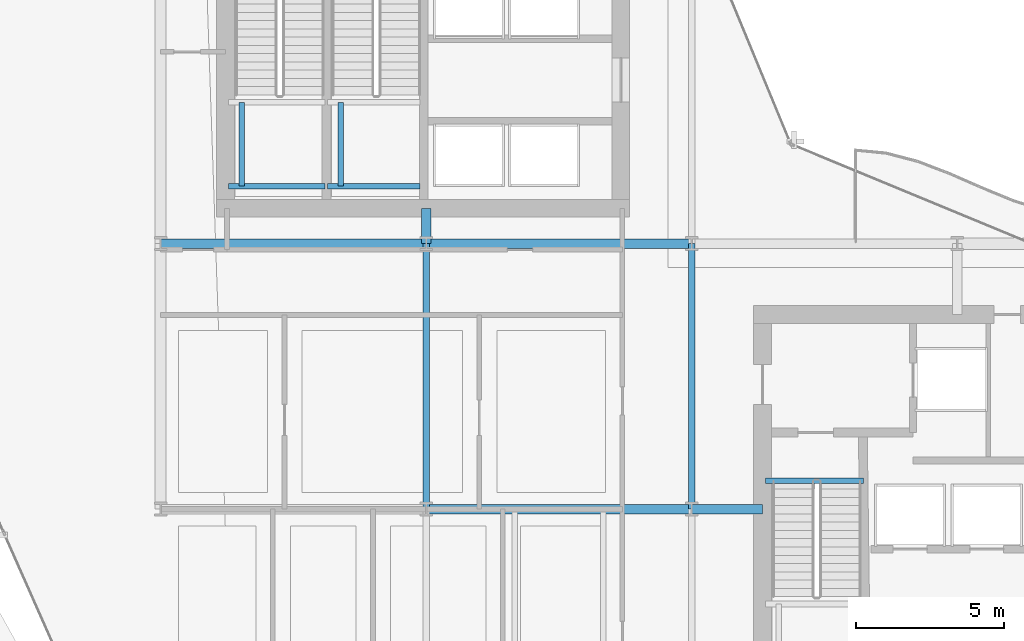
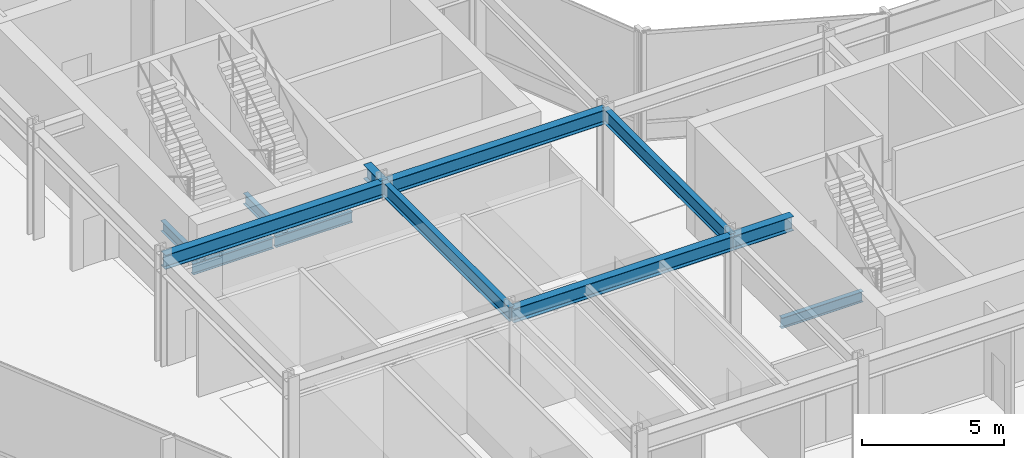
# One storey, part 8 of 39: 12 beams.
"""IFC4 building model written with IfcOpenShell, lengths in metres."""

import ifcopenshell
import ifcopenshell.guid

model = None  # the IFC model being written
_history = None  # IfcOwnerHistory: only IFC2X3 demands one
_inside = {}  # id of a spatial element -> (the spatial element, [elements in it])
_under = {}  # id of a project, library or spatial element -> (it, [spatial elements below it])
_declared = {}  # id of a project -> (the project, [libraries it declares])
_typed = {}  # id of a type object -> (the type object, [elements of that type])
_made_of = {}  # id of a material, layer set ... -> (it, [elements and type objects made of it])


def new_model(schema):
    """Start an empty IFC model of exactly this schema.

    Asked for "IFC4X3", IfcOpenShell would pick the latest addendum, in which some entities
    have other attributes; the version numbers below select the first issue.
    IFC2X3 requires an IfcOwnerHistory on every rooted entity: one is made here for all.
    """
    global model, _history
    if schema == "IFC4X3":
        model = ifcopenshell.file(schema_version=(4, 3, 0, 0))
    else:
        model = ifcopenshell.file(schema=schema)
    _inside.clear()
    _under.clear()
    _declared.clear()
    _typed.clear()
    _made_of.clear()
    _history = None
    if model.schema == "IFC2X3":
        org = make("IfcOrganization", Name="unknown")
        user = make(
            "IfcPersonAndOrganization",
            ThePerson=make("IfcPerson", FamilyName="unknown"),
            TheOrganization=org,
        )
        app = make(
            "IfcApplication",
            ApplicationDeveloper=org,
            Version="unknown",
            ApplicationFullName="unknown",
            ApplicationIdentifier="unknown",
        )
        _history = make(
            "IfcOwnerHistory",
            OwningUser=user,
            OwningApplication=app,
            ChangeAction="ADDED",
            CreationDate=0,
        )
    return model


def make(cls, **values):
    """One entity of the class cls with the attributes given. An attribute that is None is left unset."""
    return model.create_entity(
        cls, **{name: value for name, value in values.items() if value is not None}
    )


def rooted(cls, **values):
    """An entity with a GlobalId (a new one), such as an element, a storey or a relation."""
    return make(cls, GlobalId=ifcopenshell.guid.new(), OwnerHistory=_history, **values)


def si_unit(unit_type, name, prefix=None):
    """IfcSIUnit, for example si_unit("LENGTHUNIT", "METRE", prefix="MILLI")."""
    return make("IfcSIUnit", UnitType=unit_type, Prefix=prefix, Name=name)


def assignment(units):
    """IfcUnitAssignment: the units of a project."""
    return None if units is None else make("IfcUnitAssignment", Units=units)


def point(xyz):
    """IfcCartesianPoint."""
    return None if xyz is None else make("IfcCartesianPoint", Coordinates=xyz)


def direction(xyz):
    """IfcDirection."""
    return None if xyz is None else make("IfcDirection", DirectionRatios=xyz)


def frame(location, z_axis=None, x_axis=None):
    """IfcAxis2Placement3D, a coordinate frame: its origin and axes. An axis left out is left unset."""
    return make(
        "IfcAxis2Placement3D",
        Location=point(location),
        Axis=direction(z_axis),
        RefDirection=direction(x_axis),
    )


def frame_2d(location, x_axis=None):
    """IfcAxis2Placement2D, a coordinate frame in the plane: its origin and x axis."""
    return make(
        "IfcAxis2Placement2D", Location=point(location), RefDirection=direction(x_axis)
    )


def origin():
    """The frame at (0, 0, 0) with its axes left unset."""
    return frame((0.0, 0.0, 0.0))


def origin_2d():
    """The frame at (0, 0) in the plane with its x axis left unset."""
    return frame_2d((0.0, 0.0))


def place(relative_to, where):
    """IfcLocalPlacement: puts the frame where relative to a parent placement (None: the world)."""
    return make(
        "IfcLocalPlacement", PlacementRelTo=relative_to, RelativePlacement=where
    )


def context(
    kind, dimensions, precision=None, world=None, true_north=None, identifier=None
):
    """IfcGeometricRepresentationContext, for example the 3D "Model" context."""
    return make(
        "IfcGeometricRepresentationContext",
        ContextIdentifier=identifier,
        ContextType=kind,
        CoordinateSpaceDimension=dimensions,
        Precision=precision,
        WorldCoordinateSystem=world,
        TrueNorth=true_north,
    )


def subcontext(parent, identifier, kind, view, scale=None):
    """IfcGeometricRepresentationSubContext, for example "Body" below "Model"."""
    return make(
        "IfcGeometricRepresentationSubContext",
        ContextIdentifier=identifier,
        ContextType=kind,
        ParentContext=parent,
        TargetScale=scale,
        TargetView=view,
    )


def project(units=None, contexts=None):
    """IfcProject with its units and contexts."""
    return rooted(
        "IfcProject",
        Name="project",
        RepresentationContexts=contexts,
        UnitsInContext=assignment(units),
    )


def spatial(cls, under=None, at=None, **own):
    """A site, building, storey or space (cls), placed at a placement, below another one or the project."""
    s = rooted(cls, ObjectPlacement=at, **own)
    if under is not None:
        _under.setdefault(under.id(), (under, []))[1].append(s)
    return s


def profile(cls, at=None, kind="AREA", **sizes):
    """A parametric profile (cls). Its sizes go by their IFC names, for example OverallWidth=200.0."""
    return make(cls, ProfileType=kind, Position=at, **sizes)


def i_section(**sizes):
    """IfcIShapeProfileDef."""
    return profile("IfcIShapeProfileDef", **sizes)


def extrude(swept, where, along, depth):
    """IfcExtrudedAreaSolid: the profile swept, set in the frame where, extruded along a direction by depth."""
    return make(
        "IfcExtrudedAreaSolid",
        SweptArea=swept,
        Position=where,
        ExtrudedDirection=direction(along),
        Depth=depth,
    )


def shape(context_of_items, identifier, shape_type, items):
    """IfcShapeRepresentation: the items that make up one representation, for example the "Body"."""
    return make(
        "IfcShapeRepresentation",
        ContextOfItems=context_of_items,
        RepresentationIdentifier=identifier,
        RepresentationType=shape_type,
        Items=items,
    )


def material(Name=None, Category=None):
    """IfcMaterial."""
    return make("IfcMaterial", Name=Name, Category=Category)


def material_profile(
    of_material, cross_section, Name=None, Category=None, Priority=None
):
    """IfcMaterialProfile: a cross section and its material."""
    return make(
        "IfcMaterialProfile",
        Name=Name,
        Material=of_material,
        Profile=cross_section,
        Priority=Priority,
        Category=Category,
    )


def profile_set(profiles, Name=None, composite=None):
    """IfcMaterialProfileSet."""
    return make(
        "IfcMaterialProfileSet",
        Name=Name,
        MaterialProfiles=profiles,
        CompositeProfile=composite,
    )


def made_of(thing, what):
    """Note that an element or type object is made of a material, layer set ...; save() writes the relation."""
    if what is not None:
        _made_of.setdefault(what.id(), (what, []))[1].append(thing)
    return thing


def type_object(cls, material=None, **own):
    """A type object (cls), such as IfcWallType, which elements share."""
    return made_of(rooted(cls, **own), material)


def element(
    cls,
    number,
    at=None,
    inside=None,
    cuts=None,
    type_object=None,
    material=None,
    context=None,
    identifier="Body",
    shape_type=None,
    held_by="IfcProductDefinitionShape",
    body=None,
    shapes=None,
    **own,
):
    """One element of the class cls, such as IfcWall. Its Tag is "e" and its number.

    at: its placement. inside: the storey or other place that contains it. cuts: it is an
    opening in that element (IfcRelVoidsElement). A single representation is given by context,
    identifier, shape_type and body (its items); several are given by shapes. held_by: the class
    of the entity that holds the representations. save() writes the other relations.
    """
    e = rooted(cls, Tag="e%d" % number, ObjectPlacement=at, **own)
    if body is not None:
        shapes = [shape(context, identifier, shape_type, body)]
    if shapes is not None:
        e.Representation = make(held_by, Representations=shapes)
    if inside is not None:
        _inside.setdefault(inside.id(), (inside, []))[1].append(e)
    if cuts is not None:
        rooted(
            "IfcRelVoidsElement", RelatingBuildingElement=cuts, RelatedOpeningElement=e
        )
    if type_object is not None:
        _typed.setdefault(type_object.id(), (type_object, []))[1].append(e)
    return made_of(e, material)


def aggregate(whole, parts):
    """IfcRelAggregates: a whole, such as a stair, and the parts it consists of."""
    return rooted("IfcRelAggregates", RelatingObject=whole, RelatedObjects=parts)


def save(model, path):
    """Write the relations noted so far, then the file.

    IfcRelAggregates (storeys below a building ...), IfcRelContainedInSpatialStructure (elements
    in a storey), IfcRelDefinesByType, IfcRelAssociatesMaterial and IfcRelDeclares: one each for
    every whole, place, type object, material and project.
    """
    for whole, parts in _under.values():
        aggregate(whole, parts)
    for where, things in _inside.values():
        rooted(
            "IfcRelContainedInSpatialStructure",
            RelatedElements=things,
            RelatingStructure=where,
        )
    for kind, things in _typed.values():
        rooted("IfcRelDefinesByType", RelatedObjects=things, RelatingType=kind)
    for what, things in _made_of.values():
        rooted("IfcRelAssociatesMaterial", RelatedObjects=things, RelatingMaterial=what)
    for by, libraries in _declared.values():
        rooted("IfcRelDeclares", RelatingContext=by, RelatedDefinitions=libraries)
    model.write(path)


model = new_model("IFC4")

# Units and contexts
model_context = context("Model", 3, precision=1e-05, world=origin(), true_north=direction((0.0, 1.0)))
body_context = subcontext(model_context, "Body", "Model", "MODEL_VIEW")
ifc_project = project(units=[si_unit("LENGTHUNIT", "METRE"), si_unit("AREAUNIT", "SQUARE_METRE"), si_unit("VOLUMEUNIT", "CUBIC_METRE"), si_unit("PLANEANGLEUNIT", "RADIAN"), si_unit("MASSUNIT", "GRAM", prefix="KILO")], contexts=[model_context])

# Site, building, storey
site_placement = place(None, origin())
site = spatial("IfcSite", under=ifc_project, at=site_placement, CompositionType="ELEMENT")
building_placement = place(site_placement, origin())
building = spatial("IfcBuilding", under=site, at=building_placement, Name="Solvaryn Broadcast Tower", CompositionType="ELEMENT")
storey_placement = place(building_placement, frame((0.0, 0.0, 84.10009765625)))
storey = spatial("IfcBuildingStorey", under=building, at=storey_placement, Name="L20", CompositionType="ELEMENT", Elevation=84.10009765625)

# Beams
ifc_material_1 = material(Name="Steel ASTM A992 Grade 50", Category="steel")
ifc_material_profile_1 = material_profile(ifc_material_1, i_section(OverallWidth=0.323974609375, OverallDepth=0.611083984375, WebThickness=0.0126953125, FlangeThickness=0.01904296875, FilletRadius=0.014892578125, at=origin_2d()))
ifc_profile_set_1 = profile_set([ifc_material_profile_1], Name="Steel ASTM A992 Grade 50")
beam_type_1 = type_object("IfcBeamType", Name="BM-B1-W24X104", PredefinedType="BEAM", material=ifc_profile_set_1)
for number, where, z_axis, x_axis, name in (
    (1, (18.0, 18.0, 4.414306640625), (1.0, 0.0, 0.0), (0.0, 1.0, 0.0), "L20 Primary Beam X (18-27 @ Y=18)"),
    (2, (9.0, 27.0, 4.414306640625), (1.0, 0.0, 0.0), (0.0, 1.0, 0.0), "L20 Primary Beam X (9-18 @ Y=27)"),
    (3, (18.0, 27.0, 4.414306640625), (1.0, 0.0, 0.0), (0.0, 1.0, 0.0), "L20 Primary Beam X (18-27 @ Y=27)"),
):
    element("IfcBeam", number, at=place(storey_placement, frame(where, z_axis=z_axis, x_axis=x_axis)), inside=storey, type_object=beam_type_1, Name=name, PredefinedType="BEAM", context=body_context, shape_type="SweptSolid", body=[
        extrude(i_section(OverallWidth=0.323974609375, OverallDepth=0.611083984375, WebThickness=0.0126953125, FlangeThickness=0.01904296875, FilletRadius=0.014892578125, at=origin_2d()), origin(), (0.0, 0.0, 1.0), 9.0),
    ])
beam_1_placement = place(storey_placement, frame((18.0, 27.0, 4.414306640625), z_axis=(0.0, 1.0, 0.0), x_axis=(-1.0, 0.0, 0.0)))
element("IfcBeam", 4, at=beam_1_placement, inside=storey, type_object=beam_type_1, Name="L20 Core Tie Beam CTW4", PredefinedType="BEAM", context=body_context, shape_type="SweptSolid", body=[
    extrude(i_section(OverallWidth=0.323974609375, OverallDepth=0.611083984375, WebThickness=0.0126953125, FlangeThickness=0.01904296875, FilletRadius=0.014892578125, at=origin_2d()), origin(), (0.0, 0.0, 1.0), 1.199951171875),
])
beam_2_placement = place(storey_placement, frame((27.0, 18.0, 4.414306640625), z_axis=(1.0, 0.0, 0.0), x_axis=(0.0, 1.0, 0.0)))
element("IfcBeam", 5, at=beam_2_placement, inside=storey, type_object=beam_type_1, Name="L20 Core Tie Beam CTE4", PredefinedType="BEAM", context=body_context, shape_type="SweptSolid", body=[
    extrude(i_section(OverallWidth=0.323974609375, OverallDepth=0.611083984375, WebThickness=0.0126953125, FlangeThickness=0.01904296875, FilletRadius=0.014892578125, at=origin_2d()), origin(), (0.0, 0.0, 1.0), 2.39990234375),
])
ifc_material_2 = material(Name="Steel ASTM A992 Grade 50", Category="steel")
ifc_material_profile_2 = material_profile(ifc_material_2, i_section(OverallWidth=0.22802734375, OverallDepth=0.60791015625, WebThickness=0.01123046875, FlangeThickness=0.017333984375, FilletRadius=0.014892578125, at=origin_2d()))
ifc_profile_set_2 = profile_set([ifc_material_profile_2], Name="Steel ASTM A992 Grade 50")
beam_type_2 = type_object("IfcBeamType", Name="BM-B2-W24X76", PredefinedType="BEAM", material=ifc_profile_set_2)
for number, where, z_axis, x_axis, name in (
    (6, (18.0, 18.0, 4.416015625), (0.0, 1.0, 0.0), (-1.0, 0.0, 0.0), "L20 Primary Beam Y (18-27 @ X=18)"),
    (7, (27.0, 18.0, 4.416015625), (0.0, 1.0, 0.0), (-1.0, 0.0, 0.0), "L20 Primary Beam Y (18-27 @ X=27)"),
):
    element("IfcBeam", number, at=place(storey_placement, frame(where, z_axis=z_axis, x_axis=x_axis)), inside=storey, type_object=beam_type_2, Name=name, PredefinedType="BEAM", context=body_context, shape_type="SweptSolid", body=[
        extrude(i_section(OverallWidth=0.22802734375, OverallDepth=0.60791015625, WebThickness=0.01123046875, FlangeThickness=0.017333984375, FilletRadius=0.014892578125, at=origin_2d()), origin(), (0.0, 0.0, 1.0), 9.0),
    ])
ifc_material_3 = material(Name="Steel ASTM A992 Grade 50", Category="steel")
ifc_material_profile_3 = material_profile(ifc_material_3, i_section(OverallWidth=0.18994140625, OverallDepth=0.45703125, WebThickness=0.009033203125, FlangeThickness=0.014404296875, FilletRadius=0.011962890625, at=origin_2d()))
ifc_profile_set_3 = profile_set([ifc_material_profile_3], Name="Steel ASTM A992 Grade 50")
beam_type_3 = type_object("IfcBeamType", Name="BM-B4-W18X50", PredefinedType="BEAM", material=ifc_profile_set_3)
beam_3_placement = place(storey_placement, frame((11.300048828125, 28.949951171875, 2.0712890625), z_axis=(1.0, 0.0, 0.0), x_axis=(0.0, 1.0, 0.0)))
element("IfcBeam", 8, at=beam_3_placement, inside=storey, type_object=beam_type_3, Name="L20 ST1 Landing Support Beam 1A", PredefinedType="BEAM", context=body_context, shape_type="SweptSolid", body=[
    extrude(i_section(OverallWidth=0.18994140625, OverallDepth=0.45703125, WebThickness=0.009033203125, FlangeThickness=0.014404296875, FilletRadius=0.011962890625, at=origin_2d()), origin(), (0.0, 0.0, 1.0), 3.280029296875),
])
beam_4_placement = place(storey_placement, frame((11.75, 28.949951171875, 2.0712890625), z_axis=(0.0, 1.0, 0.0), x_axis=(-1.0, 0.0, 0.0)))
element("IfcBeam", 9, at=beam_4_placement, inside=storey, type_object=beam_type_3, Name="L20 ST1 Landing Cross Stringer 1C", PredefinedType="BEAM", context=body_context, shape_type="SweptSolid", body=[
    extrude(i_section(OverallWidth=0.18994140625, OverallDepth=0.45703125, WebThickness=0.009033203125, FlangeThickness=0.014404296875, FilletRadius=0.011962890625, at=origin_2d()), origin(), (0.0, 0.0, 1.0), 2.840087890625),
])
beam_5_placement = place(storey_placement, frame((14.659912109375, 28.949951171875, 2.0712890625), z_axis=(1.0, 0.0, 0.0), x_axis=(0.0, 1.0, 0.0)))
element("IfcBeam", 10, at=beam_5_placement, inside=storey, type_object=beam_type_3, Name="L20 ST2 Landing Support Beam 1A", PredefinedType="BEAM", context=body_context, shape_type="SweptSolid", body=[
    extrude(i_section(OverallWidth=0.18994140625, OverallDepth=0.45703125, WebThickness=0.009033203125, FlangeThickness=0.014404296875, FilletRadius=0.011962890625, at=origin_2d()), origin(), (0.0, 0.0, 1.0), 3.14013671875),
])
beam_6_placement = place(storey_placement, frame((15.110107421875, 28.949951171875, 2.0712890625), z_axis=(0.0, 1.0, 0.0), x_axis=(-1.0, 0.0, 0.0)))
element("IfcBeam", 11, at=beam_6_placement, inside=storey, type_object=beam_type_3, Name="L20 ST2 Landing Cross Stringer 1C", PredefinedType="BEAM", context=body_context, shape_type="SweptSolid", body=[
    extrude(i_section(OverallWidth=0.18994140625, OverallDepth=0.45703125, WebThickness=0.009033203125, FlangeThickness=0.014404296875, FilletRadius=0.011962890625, at=origin_2d()), origin(), (0.0, 0.0, 1.0), 2.840087890625),
])
beam_7_placement = place(storey_placement, frame((29.5, 18.9599609375, -0.55859375), z_axis=(1.0, 0.0, 0.0), x_axis=(0.0, 1.0, 0.0)))
element("IfcBeam", 12, at=beam_7_placement, inside=storey, type_object=beam_type_3, Name="L20 ST3 Stair Well Trimmer Beam", PredefinedType="BEAM", context=body_context, shape_type="SweptSolid", body=[
    extrude(i_section(OverallWidth=0.18994140625, OverallDepth=0.45703125, WebThickness=0.009033203125, FlangeThickness=0.014404296875, FilletRadius=0.011962890625, at=origin_2d()), origin(), (0.0, 0.0, 1.0), 3.320068359375),
])

save(model, "model.ifc")
